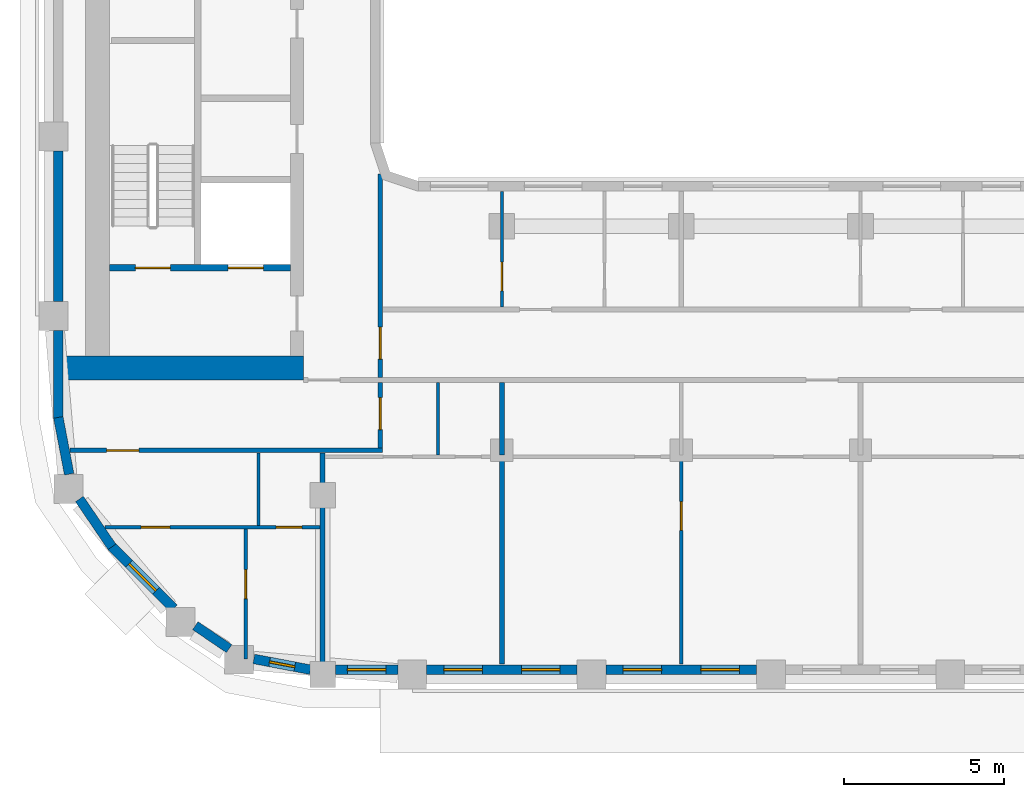
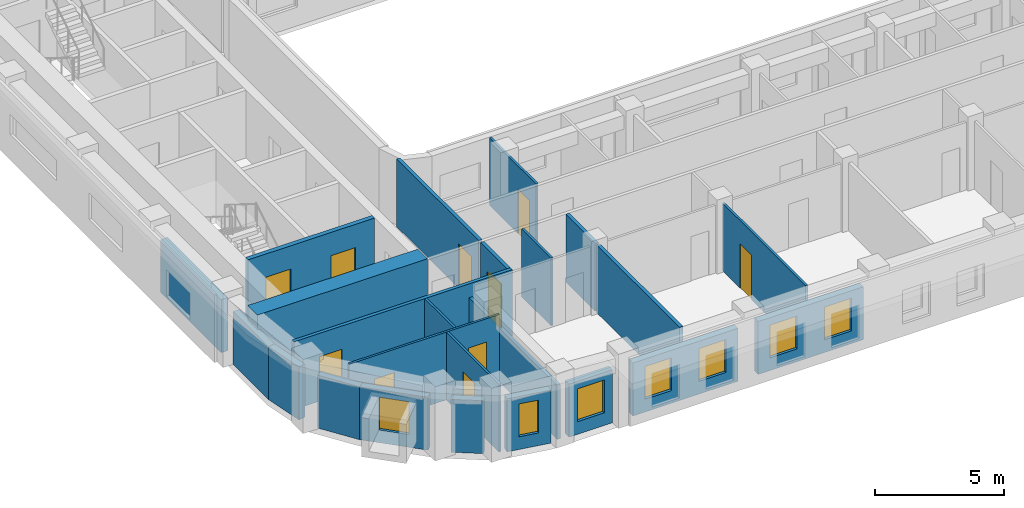
# One storey, part 2 of 21: 24 walls, 10 doors, 7 windows, 17 openings.
"""IFC4 building model written with IfcOpenShell, lengths in metres."""

from ifc_helpers import new_model, si_unit, direction, frame, frame_2d, origin, place, context, subcontext, project, spatial, rectangle, extrude, material, layer, layer_set, type_object, element, fill, save


model = new_model("IFC4")

# Units and contexts
model_context = context("Model", 3, precision=1e-05, world=origin(), true_north=direction((0.0, 1.0)))
body_context = subcontext(model_context, "Body", "Model", "MODEL_VIEW")
ifc_project = project(units=[si_unit("LENGTHUNIT", "METRE"), si_unit("AREAUNIT", "SQUARE_METRE"), si_unit("VOLUMEUNIT", "CUBIC_METRE"), si_unit("PLANEANGLEUNIT", "RADIAN"), si_unit("MASSUNIT", "GRAM", prefix="KILO")], contexts=[model_context])

# Site, building, storey
site_placement = place(None, origin())
site = spatial("IfcSite", under=ifc_project, at=site_placement, CompositionType="ELEMENT")
building_placement = place(site_placement, origin())
building = spatial("IfcBuilding", under=site, at=building_placement, Name="Kiln Ring Residences", CompositionType="ELEMENT")
storey_placement = place(building_placement, frame((0.0, 0.0, 195.89990234375)))
storey = spatial("IfcBuildingStorey", under=building, at=storey_placement, Name="L50", CompositionType="ELEMENT", Elevation=195.89990234375)

# Wall, openings, doors
ifc_material_1 = material(Name="Concrete C40/50", Category="concrete")
ifc_layer_1 = layer(ifc_material_1, 0.199951171875)
ifc_layer_set_1 = layer_set([ifc_layer_1], Name="CORE-WALL-RC200")
wall_type_1 = type_object("IfcWallType", Name="CORE-WALL-RC200", PredefinedType="SHEAR", material=ifc_layer_set_1)
wall_1_placement = place(storey_placement, frame((-17.800048828125, -9.699951171875, 0.0), z_axis=(0.0, 0.0, 1.0), x_axis=(-1.0, 0.0, 0.0)))
wall_1 = element("IfcWall", 1, at=wall_1_placement, inside=storey, type_object=wall_type_1, Name="Core wall west L50 8", PredefinedType="SHEAR", context=body_context, shape_type="SweptSolid", body=[
    extrude(rectangle(XDim=5.64990234375, YDim=0.199951171875, at=frame_2d((2.824951171875, 0.0))), origin(), (0.0, 0.0, 1.0), 3.2001953125),
])
opening_1_placement = place(wall_1_placement, frame((0.85009765625, 0.0, 0.0)))
opening_1 = element("IfcOpeningElement", 2, at=opening_1_placement, cuts=wall_1, Name="Opening L50-CW01", PredefinedType="OPENING", context=body_context, shape_type="SweptSolid", body=[
    extrude(rectangle(XDim=1.10009765625, YDim=2.10009765625, at=frame_2d((0.550048828125, 1.050048828125))), frame((0.0, 0.10986328125, 0.0), z_axis=(0.0, -1.0, 0.0), x_axis=(1.0, 0.0, 0.0)), (0.0, 0.0, 1.0), 0.219970703125),
])
opening_2_placement = place(wall_1_placement, frame((3.75, 0.0, 0.0)))
opening_2 = element("IfcOpeningElement", 3, at=opening_2_placement, cuts=wall_1, Name="Opening L50-CW10", PredefinedType="OPENING", context=body_context, shape_type="SweptSolid", body=[
    extrude(rectangle(XDim=1.10009765625, YDim=2.10009765625, at=frame_2d((0.550048828125, 1.050048828125))), frame((0.0, 0.10986328125, 0.0), z_axis=(0.0, -1.0, 0.0), x_axis=(1.0, 0.0, 0.0)), (0.0, 0.0, 1.0), 0.219970703125),
])
ifc_material_2 = material(Name="Steel door leaf", Category="steel")
door_type_1 = type_object("IfcDoorType", Name="CORE-DOOR-LD", OperationType="DOUBLE_DOOR_SLIDING", PredefinedType="DOOR", material=ifc_material_2)
door_1_placement = place(opening_1_placement, origin())
door_1 = element("IfcDoor", 4, at=door_1_placement, inside=storey, type_object=door_type_1, Name="LD W-SV L50-CW01", OperationType="DOUBLE_DOOR_SLIDING", OverallHeight=2.10009765625, OverallWidth=1.10009765625, PredefinedType="DOOR", context=body_context, shape_type="SweptSolid", body=[
    extrude(rectangle(XDim=1.10009765625, YDim=2.10009765625, at=frame_2d((0.550048828125, 1.050048828125))), frame((0.0, 0.02490234375, 0.0), z_axis=(0.0, -1.0, 0.0), x_axis=(1.0, 0.0, 0.0)), (0.0, 0.0, 1.0), 0.050048828125),
])
fill(opening_1, door_1)
ifc_material_3 = material(Name="Steel door leaf", Category="steel")
door_type_2 = type_object("IfcDoorType", Name="CORE-DOOR-STAIR", OperationType="SINGLE_SWING_LEFT", PredefinedType="DOOR", material=ifc_material_3)
door_2_placement = place(opening_2_placement, origin())
door_2 = element("IfcDoor", 5, at=door_2_placement, inside=storey, type_object=door_type_2, Name="Stair W-STS L50-CW10", OperationType="SINGLE_SWING_LEFT", OverallHeight=2.10009765625, OverallWidth=1.10009765625, PredefinedType="DOOR", context=body_context, shape_type="SweptSolid", body=[
    extrude(rectangle(XDim=1.10009765625, YDim=2.10009765625, at=frame_2d((0.550048828125, 1.050048828125))), frame((0.0, 0.02490234375, 0.0), z_axis=(0.0, -1.0, 0.0), x_axis=(1.0, 0.0, 0.0)), (0.0, 0.0, 1.0), 0.050048828125),
])
fill(opening_2, door_2)

# Wall
ifc_material_4 = material(Name="Concrete C60/75", Category="concrete")
ifc_layer_2 = layer(ifc_material_4, 0.75)
ifc_layer_set_2 = layer_set([ifc_layer_2], Name="CORE-WALL-RC750")
wall_type_2 = type_object("IfcWallType", Name="CORE-WALL-RC750", PredefinedType="SHEAR", material=ifc_layer_set_2)
wall_2_placement = place(storey_placement, frame((-17.39990234375, -12.824951171875, 0.0), z_axis=(0.0, 0.0, 1.0), x_axis=(-1.0, 0.0, 0.0)))
element("IfcWall", 6, at=wall_2_placement, inside=storey, type_object=wall_type_2, Name="Core wall west L50 5", PredefinedType="SHEAR", context=body_context, shape_type="SweptSolid", body=[
    extrude(rectangle(XDim=7.60009765625, YDim=0.75, at=frame_2d((3.800048828125, 0.0))), origin(), (0.0, 0.0, 1.0), 3.2001953125),
])

# Wall, opening, window
ifc_material_5 = material(Name="Brick masonry, dark clay brick", Category="masonry")
ifc_layer_3 = layer(ifc_material_5, 0.300048828125)
ifc_layer_set_3 = layer_set([ifc_layer_3], Name="EW-300 BRICK WALL")
wall_type_3 = type_object("IfcWallType", Name="EW-300 BRICK WALL", PredefinedType="SOLIDWALL", material=ifc_layer_set_3)
wall_3_placement = place(storey_placement, frame((-23.39697265625, -18.390869140625, 0.0), z_axis=(0.0, 0.0, 1.0), x_axis=(0.707106781187, -0.707106781187, 0.0)))
wall_3 = element("IfcWall", 7, at=wall_3_placement, inside=storey, type_object=wall_type_3, Name="Facade wall L50 1", PredefinedType="SOLIDWALL", context=body_context, shape_type="SweptSolid", body=[
    extrude(rectangle(XDim=2.75, YDim=0.300048828125, at=frame_2d((1.375, 0.0))), origin(), (0.0, 0.0, 1.0), 2.5),
])
opening_3_placement = place(wall_3_placement, frame((0.77490234375, 0.0, 0.60009765625)))
opening_3 = element("IfcOpeningElement", 8, at=opening_3_placement, cuts=wall_3, Name="Opening W1", PredefinedType="OPENING", context=body_context, shape_type="SweptSolid", body=[
    extrude(rectangle(XDim=1.199951171875, YDim=1.550048828125, at=frame_2d((0.60009765625, 0.77490234375))), frame((0.0, 0.159912109375, 0.0), z_axis=(0.0, -1.0, 0.0), x_axis=(1.0, 0.0, 0.0)), (0.0, 0.0, 1.0), 0.320068359375),
])
ifc_material_6 = material(Name="Aluminium frame with double glazing", Category="aluminium")
window_type_1 = type_object("IfcWindowType", Name="WINDOW 1200 x 1550", PartitioningType="SINGLE_PANEL", PredefinedType="WINDOW", material=ifc_material_6)
window_1_placement = place(opening_3_placement, origin())
window_1 = element("IfcWindow", 9, at=window_1_placement, inside=storey, type_object=window_type_1, Name="Window L50 1", OverallHeight=1.550048828125, OverallWidth=1.199951171875, PartitioningType="SINGLE_PANEL", PredefinedType="WINDOW", context=body_context, shape_type="SweptSolid", body=[
    extrude(rectangle(XDim=1.199951171875, YDim=1.550048828125, at=frame_2d((0.60009765625, 0.77490234375))), frame((0.0, 0.030029296875, 0.0), z_axis=(0.0, -1.0, 0.0), x_axis=(1.0, 0.0, 0.0)), (0.0, 0.0, 1.0), 0.06005859375),
])
fill(opening_3, window_1)

# Wall
wall_4_placement = place(storey_placement, frame((-20.775146484375, -20.876220703125, 0.0), z_axis=(0.0, 0.0, 1.0), x_axis=(0.827075824828, -0.562090366388, 0.0)))
element("IfcWall", 10, at=wall_4_placement, inside=storey, type_object=wall_type_3, Name="Facade wall L50 2", PredefinedType="SOLIDWALL", context=body_context, shape_type="SweptSolid", body=[
    extrude(rectangle(XDim=1.27685546875, YDim=0.300048828125, at=frame_2d((0.638427734375, 0.0))), origin(), (0.0, 0.0, 1.0), 2.5),
])

# Wall, opening, window
wall_5_placement = place(storey_placement, frame((-18.946044921875, -21.914306640625, 0.0), z_axis=(0.0, 0.0, 1.0), x_axis=(0.98230529033, -0.187286722942, 0.0)))
wall_5 = element("IfcWall", 11, at=wall_5_placement, inside=storey, type_object=wall_type_3, Name="Facade wall L50 3", PredefinedType="SOLIDWALL", context=body_context, shape_type="SweptSolid", body=[
    extrude(rectangle(XDim=1.798828125, YDim=0.300048828125, at=frame_2d((0.8994140625, 0.0))), origin(), (0.0, 0.0, 1.0), 2.5),
])
opening_4_placement = place(wall_5_placement, frame((0.49951171875, 0.0, 0.60009765625)))
opening_4 = element("IfcOpeningElement", 12, at=opening_4_placement, cuts=wall_5, Name="Opening W5", PredefinedType="OPENING", context=body_context, shape_type="SweptSolid", body=[
    extrude(rectangle(XDim=0.800048828125, YDim=1.550048828125, at=frame_2d((0.39990234375, 0.77490234375))), frame((0.0, 0.159912109375, 0.0), z_axis=(0.0, -1.0, 0.0), x_axis=(1.0, 0.0, 0.0)), (0.0, 0.0, 1.0), 0.320068359375),
])
ifc_material_7 = material(Name="Aluminium frame with double glazing", Category="aluminium")
window_type_2 = type_object("IfcWindowType", Name="WINDOW 800 x 1550", PartitioningType="SINGLE_PANEL", PredefinedType="WINDOW", material=ifc_material_7)
window_2_placement = place(opening_4_placement, origin())
window_2 = element("IfcWindow", 13, at=window_2_placement, inside=storey, type_object=window_type_2, Name="Window L50 2", OverallHeight=1.550048828125, OverallWidth=0.800048828125, PartitioningType="SINGLE_PANEL", PredefinedType="WINDOW", context=body_context, shape_type="SweptSolid", body=[
    extrude(rectangle(XDim=0.800048828125, YDim=1.550048828125, at=frame_2d((0.39990234375, 0.77490234375))), frame((0.0, 0.030029296875, 0.0), z_axis=(0.0, -1.0, 0.0), x_axis=(1.0, 0.0, 0.0)), (0.0, 0.0, 1.0), 0.06005859375),
])
fill(opening_4, window_2)

wall_6_placement = place(storey_placement, frame((-16.39990234375, -22.25, 0.0), z_axis=(0.0, 0.0, 1.0), x_axis=(1.0, 0.0, 0.0)))
wall_6 = element("IfcWall", 14, at=wall_6_placement, inside=storey, type_object=wall_type_3, Name="Facade wall L50 4", PredefinedType="SOLIDWALL", context=body_context, shape_type="SweptSolid", body=[
    extrude(rectangle(XDim=1.949951171875, YDim=0.300048828125, at=frame_2d((0.97509765625, 0.0))), origin(), (0.0, 0.0, 1.0), 2.5),
])
opening_5_placement = place(wall_6_placement, frame((0.375, 0.0, 0.60009765625)))
opening_5 = element("IfcOpeningElement", 15, at=opening_5_placement, cuts=wall_6, Name="Opening W1", PredefinedType="OPENING", context=body_context, shape_type="SweptSolid", body=[
    extrude(rectangle(XDim=1.199951171875, YDim=1.550048828125, at=frame_2d((0.60009765625, 0.77490234375))), frame((0.0, 0.159912109375, 0.0), z_axis=(0.0, -1.0, 0.0), x_axis=(1.0, 0.0, 0.0)), (0.0, 0.0, 1.0), 0.320068359375),
])
window_3_placement = place(opening_5_placement, origin())
window_3 = element("IfcWindow", 16, at=window_3_placement, inside=storey, type_object=window_type_1, Name="Window L50 3", OverallHeight=1.550048828125, OverallWidth=1.199951171875, PartitioningType="SINGLE_PANEL", PredefinedType="WINDOW", context=body_context, shape_type="SweptSolid", body=[
    extrude(rectangle(XDim=1.199951171875, YDim=1.550048828125, at=frame_2d((0.60009765625, 0.77490234375))), frame((0.0, 0.030029296875, 0.0), z_axis=(0.0, -1.0, 0.0), x_axis=(1.0, 0.0, 0.0)), (0.0, 0.0, 1.0), 0.06005859375),
])
fill(opening_5, window_3)

# Wall, openings, windows
wall_7_placement = place(storey_placement, frame((-13.550048828125, -22.25, 0.0), z_axis=(0.0, 0.0, 1.0), x_axis=(1.0, 0.0, 0.0)))
wall_7 = element("IfcWall", 17, at=wall_7_placement, inside=storey, type_object=wall_type_3, Name="Facade wall L50 5", PredefinedType="SOLIDWALL", context=body_context, shape_type="SweptSolid", body=[
    extrude(rectangle(XDim=4.699951171875, YDim=0.300048828125, at=frame_2d((2.35009765625, 0.0))), origin(), (0.0, 0.0, 1.0), 2.5),
])
opening_6_placement = place(wall_7_placement, frame((0.53759765625, 0.0, 0.60009765625)))
opening_6 = element("IfcOpeningElement", 18, at=opening_6_placement, cuts=wall_7, Name="Opening W1", PredefinedType="OPENING", context=body_context, shape_type="SweptSolid", body=[
    extrude(rectangle(XDim=1.199951171875, YDim=1.550048828125, at=frame_2d((0.60009765625, 0.77490234375))), frame((0.0, 0.159912109375, 0.0), z_axis=(0.0, -1.0, 0.0), x_axis=(1.0, 0.0, 0.0)), (0.0, 0.0, 1.0), 0.320068359375),
])
opening_7_placement = place(wall_7_placement, frame((2.96240234375, 0.0, 0.60009765625)))
opening_7 = element("IfcOpeningElement", 19, at=opening_7_placement, cuts=wall_7, Name="Opening W1", PredefinedType="OPENING", context=body_context, shape_type="SweptSolid", body=[
    extrude(rectangle(XDim=1.199951171875, YDim=1.550048828125, at=frame_2d((0.60009765625, 0.77490234375))), frame((0.0, 0.159912109375, 0.0), z_axis=(0.0, -1.0, 0.0), x_axis=(1.0, 0.0, 0.0)), (0.0, 0.0, 1.0), 0.320068359375),
])
window_4_placement = place(opening_6_placement, origin())
window_4 = element("IfcWindow", 20, at=window_4_placement, inside=storey, type_object=window_type_1, Name="Window L50 4", OverallHeight=1.550048828125, OverallWidth=1.199951171875, PartitioningType="SINGLE_PANEL", PredefinedType="WINDOW", context=body_context, shape_type="SweptSolid", body=[
    extrude(rectangle(XDim=1.199951171875, YDim=1.550048828125, at=frame_2d((0.60009765625, 0.77490234375))), frame((0.0, 0.030029296875, 0.0), z_axis=(0.0, -1.0, 0.0), x_axis=(1.0, 0.0, 0.0)), (0.0, 0.0, 1.0), 0.06005859375),
])
fill(opening_6, window_4)
window_5_placement = place(opening_7_placement, origin())
window_5 = element("IfcWindow", 21, at=window_5_placement, inside=storey, type_object=window_type_1, Name="Window L50 5", OverallHeight=1.550048828125, OverallWidth=1.199951171875, PartitioningType="SINGLE_PANEL", PredefinedType="WINDOW", context=body_context, shape_type="SweptSolid", body=[
    extrude(rectangle(XDim=1.199951171875, YDim=1.550048828125, at=frame_2d((0.60009765625, 0.77490234375))), frame((0.0, 0.030029296875, 0.0), z_axis=(0.0, -1.0, 0.0), x_axis=(1.0, 0.0, 0.0)), (0.0, 0.0, 1.0), 0.06005859375),
])
fill(opening_7, window_5)

wall_8_placement = place(storey_placement, frame((-7.949951171875, -22.25, 0.0), z_axis=(0.0, 0.0, 1.0), x_axis=(1.0, 0.0, 0.0)))
wall_8 = element("IfcWall", 22, at=wall_8_placement, inside=storey, type_object=wall_type_3, Name="Facade wall L50 6", PredefinedType="SOLIDWALL", context=body_context, shape_type="SweptSolid", body=[
    extrude(rectangle(XDim=4.699951171875, YDim=0.300048828125, at=frame_2d((2.35009765625, 0.0))), origin(), (0.0, 0.0, 1.0), 2.5),
])
opening_8_placement = place(wall_8_placement, frame((0.53759765625, 0.0, 0.60009765625)))
opening_8 = element("IfcOpeningElement", 23, at=opening_8_placement, cuts=wall_8, Name="Opening W1", PredefinedType="OPENING", context=body_context, shape_type="SweptSolid", body=[
    extrude(rectangle(XDim=1.199951171875, YDim=1.550048828125, at=frame_2d((0.60009765625, 0.77490234375))), frame((0.0, 0.159912109375, 0.0), z_axis=(0.0, -1.0, 0.0), x_axis=(1.0, 0.0, 0.0)), (0.0, 0.0, 1.0), 0.320068359375),
])
opening_9_placement = place(wall_8_placement, frame((2.96240234375, 0.0, 0.60009765625)))
opening_9 = element("IfcOpeningElement", 24, at=opening_9_placement, cuts=wall_8, Name="Opening W1", PredefinedType="OPENING", context=body_context, shape_type="SweptSolid", body=[
    extrude(rectangle(XDim=1.199951171875, YDim=1.550048828125, at=frame_2d((0.60009765625, 0.77490234375))), frame((0.0, 0.159912109375, 0.0), z_axis=(0.0, -1.0, 0.0), x_axis=(1.0, 0.0, 0.0)), (0.0, 0.0, 1.0), 0.320068359375),
])
window_6_placement = place(opening_8_placement, origin())
window_6 = element("IfcWindow", 25, at=window_6_placement, inside=storey, type_object=window_type_1, Name="Window L50 6", OverallHeight=1.550048828125, OverallWidth=1.199951171875, PartitioningType="SINGLE_PANEL", PredefinedType="WINDOW", context=body_context, shape_type="SweptSolid", body=[
    extrude(rectangle(XDim=1.199951171875, YDim=1.550048828125, at=frame_2d((0.60009765625, 0.77490234375))), frame((0.0, 0.030029296875, 0.0), z_axis=(0.0, -1.0, 0.0), x_axis=(1.0, 0.0, 0.0)), (0.0, 0.0, 1.0), 0.06005859375),
])
fill(opening_8, window_6)
window_7_placement = place(opening_9_placement, origin())
window_7 = element("IfcWindow", 26, at=window_7_placement, inside=storey, type_object=window_type_1, Name="Window L50 7", OverallHeight=1.550048828125, OverallWidth=1.199951171875, PartitioningType="SINGLE_PANEL", PredefinedType="WINDOW", context=body_context, shape_type="SweptSolid", body=[
    extrude(rectangle(XDim=1.199951171875, YDim=1.550048828125, at=frame_2d((0.60009765625, 0.77490234375))), frame((0.0, 0.030029296875, 0.0), z_axis=(0.0, -1.0, 0.0), x_axis=(1.0, 0.0, 0.0)), (0.0, 0.0, 1.0), 0.06005859375),
])
fill(opening_9, window_7)

# Walls
wall_9_placement = place(storey_placement, frame((-25.050048828125, -6.050048828125, 0.0), z_axis=(0.0, 0.0, 1.0), x_axis=(0.0, -1.0, 0.0)))
element("IfcWall", 27, at=wall_9_placement, inside=storey, type_object=wall_type_3, Name="Facade wall L50 43", PredefinedType="SOLIDWALL", context=body_context, shape_type="SweptSolid", body=[
    extrude(rectangle(XDim=4.699951171875, YDim=0.300048828125, at=frame_2d((2.35009765625, 0.0))), origin(), (0.0, 0.0, 1.0), 2.5),
])
wall_10_placement = place(storey_placement, frame((-25.050048828125, -11.64990234375, 0.0), z_axis=(0.0, 0.0, 1.0), x_axis=(0.0, -1.0, 0.0)))
element("IfcWall", 28, at=wall_10_placement, inside=storey, type_object=wall_type_3, Name="Facade wall L50 44", PredefinedType="SOLIDWALL", context=body_context, shape_type="SweptSolid", body=[
    extrude(rectangle(XDim=2.75, YDim=0.300048828125, at=frame_2d((1.375, 0.0))), origin(), (0.0, 0.0, 1.0), 2.5),
])
for number, where, z_axis, x_axis, name in (
    (29, (-25.052734375, -14.371826171875, 0.0), (0.0, 0.0, 1.0), (0.187348135549, -0.982293579388, 0.0), "Facade wall L50 45"),
    (30, (-24.39404296875, -16.9189453125, 0.0), (0.0, 0.0, 1.0), (0.562040093569, -0.827109988588, 0.0), "Facade wall L50 46"),
):
    element("IfcWall", number, at=place(storey_placement, frame(where, z_axis=z_axis, x_axis=x_axis)), inside=storey, type_object=wall_type_3, Name=name, PredefinedType="SOLIDWALL", context=body_context, shape_type="SweptSolid", body=[
        extrude(rectangle(XDim=1.80615234375, YDim=0.300048828125, at=frame_2d((0.903076171875, 0.0))), origin(), (0.0, 0.0, 1.0), 2.5),
    ])

# Wall, openings, doors
ifc_material_8 = material(Name="Gypsum board on steel studs", Category="steel")
ifc_layer_4 = layer(ifc_material_8, 0.10009765625)
ifc_layer_set_4 = layer_set([ifc_layer_4], Name="PARTITION-100")
wall_type_4 = type_object("IfcWallType", Name="PARTITION-100", PredefinedType="PARTITIONING", material=ifc_layer_set_4)
wall_11_placement = place(storey_placement, frame((-23.593994140625, -17.800048828125, 0.0), z_axis=(0.0, 0.0, 1.0), x_axis=(1.0, 0.0, 0.0)))
wall_11 = element("IfcWall", 31, at=wall_11_placement, inside=storey, type_object=wall_type_4, Name="Partition 001", PredefinedType="PARTITIONING", context=body_context, shape_type="SweptSolid", body=[
    extrude(rectangle(XDim=6.718994140625, YDim=0.10009765625, at=frame_2d((3.359375, 0.0))), origin(), (0.0, 0.0, 1.0), 3.2001953125),
])
opening_10_placement = place(wall_11_placement, frame((5.343994140625, 0.0, 0.0)))
opening_10 = element("IfcOpeningElement", 32, at=opening_10_placement, cuts=wall_11, Name="Opening L50-D066", PredefinedType="OPENING", context=body_context, shape_type="SweptSolid", body=[
    extrude(rectangle(XDim=0.800048828125, YDim=2.10009765625, at=frame_2d((0.39990234375, 1.050048828125))), frame((0.0, 0.06005859375, 0.0), z_axis=(0.0, -1.0, 0.0), x_axis=(1.0, 0.0, 0.0)), (0.0, 0.0, 1.0), 0.1201171875),
])
opening_11_placement = place(wall_11_placement, frame((1.1259765625, 0.0, 0.0)))
opening_11 = element("IfcOpeningElement", 33, at=opening_11_placement, cuts=wall_11, Name="Opening L50-D067", PredefinedType="OPENING", context=body_context, shape_type="SweptSolid", body=[
    extrude(rectangle(XDim=0.89990234375, YDim=2.10009765625, at=frame_2d((0.449951171875, 1.050048828125))), frame((0.0, 0.06005859375, 0.0), z_axis=(0.0, -1.0, 0.0), x_axis=(1.0, 0.0, 0.0)), (0.0, 0.0, 1.0), 0.1201171875),
])
ifc_material_9 = material(Name="Timber door leaf", Category="wood")
door_type_3 = type_object("IfcDoorType", Name="FLAT-DOOR-800-PL", OperationType="SINGLE_SWING_LEFT", PredefinedType="DOOR", material=ifc_material_9)
door_3_placement = place(opening_10_placement, origin())
door_3 = element("IfcDoor", 34, at=door_3_placement, inside=storey, type_object=door_type_3, Name="Door L50-D066", OperationType="SINGLE_SWING_RIGHT", OverallHeight=2.10009765625, OverallWidth=0.800048828125, PredefinedType="DOOR", context=body_context, shape_type="SweptSolid", body=[
    extrude(rectangle(XDim=0.800048828125, YDim=2.10009765625, at=frame_2d((0.39990234375, 1.050048828125))), frame((0.0, 0.02490234375, 0.0), z_axis=(0.0, -1.0, 0.0), x_axis=(1.0, 0.0, 0.0)), (0.0, 0.0, 1.0), 0.050048828125),
])
fill(opening_10, door_3)
ifc_material_10 = material(Name="Timber door leaf", Category="wood")
door_type_4 = type_object("IfcDoorType", Name="FLAT-DOOR-900-PL", OperationType="SINGLE_SWING_LEFT", PredefinedType="DOOR", material=ifc_material_10)
door_4_placement = place(opening_11_placement, origin())
door_4 = element("IfcDoor", 35, at=door_4_placement, inside=storey, type_object=door_type_4, Name="Door L50-D067", OperationType="SINGLE_SWING_LEFT", OverallHeight=2.10009765625, OverallWidth=0.89990234375, PredefinedType="DOOR", context=body_context, shape_type="SweptSolid", body=[
    extrude(rectangle(XDim=0.89990234375, YDim=2.10009765625, at=frame_2d((0.449951171875, 1.050048828125))), frame((0.0, 0.02490234375, 0.0), z_axis=(0.0, -1.0, 0.0), x_axis=(1.0, 0.0, 0.0)), (0.0, 0.0, 1.0), 0.050048828125),
])
fill(opening_11, door_4)

# Wall, opening, door
wall_12_placement = place(storey_placement, frame((-19.199951171875, -21.919921875, 0.0), z_axis=(0.0, 0.0, 1.0), x_axis=(0.0, 1.0, 0.0)))
wall_12 = element("IfcWall", 36, at=wall_12_placement, inside=storey, type_object=wall_type_4, Name="Partition 014", PredefinedType="PARTITIONING", context=body_context, shape_type="SweptSolid", body=[
    extrude(rectangle(XDim=4.06982421875, YDim=0.10009765625, at=frame_2d((2.034912109375, 0.0))), origin(), (0.0, 0.0, 1.0), 3.2001953125),
])
opening_12_placement = place(wall_12_placement, frame((1.89306640625, 0.0, 0.0)))
opening_12 = element("IfcOpeningElement", 37, at=opening_12_placement, cuts=wall_12, Name="Opening L50-D068", PredefinedType="OPENING", context=body_context, shape_type="SweptSolid", body=[
    extrude(rectangle(XDim=0.89990234375, YDim=2.10009765625, at=frame_2d((0.449951171875, 1.050048828125))), frame((0.0, 0.06005859375, 0.0), z_axis=(0.0, -1.0, 0.0), x_axis=(1.0, 0.0, 0.0)), (0.0, 0.0, 1.0), 0.1201171875),
])
door_5_placement = place(opening_12_placement, origin())
door_5 = element("IfcDoor", 38, at=door_5_placement, inside=storey, type_object=door_type_4, Name="Door L50-D068", OperationType="SINGLE_SWING_RIGHT", OverallHeight=2.10009765625, OverallWidth=0.89990234375, PredefinedType="DOOR", context=body_context, shape_type="SweptSolid", body=[
    extrude(rectangle(XDim=0.89990234375, YDim=2.10009765625, at=frame_2d((0.449951171875, 1.050048828125))), frame((0.0, 0.02490234375, 0.0), z_axis=(0.0, -1.0, 0.0), x_axis=(1.0, 0.0, 0.0)), (0.0, 0.0, 1.0), 0.050048828125),
])
fill(opening_12, door_5)

# Walls
wall_13_placement = place(storey_placement, frame((-18.800048828125, -17.75, 0.0), z_axis=(0.0, 0.0, 1.0), x_axis=(0.0, 1.0, 0.0)))
element("IfcWall", 39, at=wall_13_placement, inside=storey, type_object=wall_type_4, Name="Partition 016", PredefinedType="PARTITIONING", context=body_context, shape_type="SweptSolid", body=[
    extrude(rectangle(XDim=2.27490234375, YDim=0.10009765625, at=frame_2d((1.137451171875, 0.0))), origin(), (0.0, 0.0, 1.0), 3.2001953125),
])
wall_14_placement = place(storey_placement, frame((-13.199951171875, -15.550048828125, 0.0), z_axis=(0.0, 0.0, 1.0), x_axis=(0.0, 1.0, 0.0)))
element("IfcWall", 40, at=wall_14_placement, inside=storey, type_object=wall_type_4, Name="Partition 023", PredefinedType="PARTITIONING", context=body_context, shape_type="SweptSolid", body=[
    extrude(rectangle(XDim=2.275146484375, YDim=0.10009765625, at=frame_2d((1.1376953125, 0.0))), origin(), (0.0, 0.0, 1.0), 3.2001953125),
])

# Wall, opening, door
wall_15_placement = place(storey_placement, frame((-11.199951171875, -10.925048828125, 0.0), z_axis=(0.0, 0.0, 1.0), x_axis=(0.0, 1.0, 0.0)))
wall_15 = element("IfcWall", 41, at=wall_15_placement, inside=storey, type_object=wall_type_4, Name="Partition 024", PredefinedType="PARTITIONING", context=body_context, shape_type="SweptSolid", body=[
    extrude(rectangle(XDim=3.60498046875, YDim=0.10009765625, at=frame_2d((1.802490234375, 0.0))), origin(), (0.0, 0.0, 1.0), 3.2001953125),
])
opening_13_placement = place(wall_15_placement, frame((0.5048828125, 0.0, 0.0)))
opening_13 = element("IfcOpeningElement", 42, at=opening_13_placement, cuts=wall_15, Name="Opening L50-D040", PredefinedType="OPENING", context=body_context, shape_type="SweptSolid", body=[
    extrude(rectangle(XDim=0.89990234375, YDim=2.10009765625, at=frame_2d((0.449951171875, 1.050048828125))), frame((0.0, 0.06005859375, 0.0), z_axis=(0.0, -1.0, 0.0), x_axis=(1.0, 0.0, 0.0)), (0.0, 0.0, 1.0), 0.1201171875),
])
door_6_placement = place(opening_13_placement, origin())
door_6 = element("IfcDoor", 43, at=door_6_placement, inside=storey, type_object=door_type_4, Name="Door L50-D040", OperationType="SINGLE_SWING_RIGHT", OverallHeight=2.10009765625, OverallWidth=0.89990234375, PredefinedType="DOOR", context=body_context, shape_type="SweptSolid", body=[
    extrude(rectangle(XDim=0.89990234375, YDim=2.10009765625, at=frame_2d((0.449951171875, 1.050048828125))), frame((0.0, 0.02490234375, 0.0), z_axis=(0.0, -1.0, 0.0), x_axis=(1.0, 0.0, 0.0)), (0.0, 0.0, 1.0), 0.050048828125),
])
fill(opening_13, door_6)

wall_16_placement = place(storey_placement, frame((-5.60009765625, -22.080078125, 0.0), z_axis=(0.0, 0.0, 1.0), x_axis=(0.0, 1.0, 0.0)))
wall_16 = element("IfcWall", 44, at=wall_16_placement, inside=storey, type_object=wall_type_4, Name="Partition 031", PredefinedType="PARTITIONING", context=body_context, shape_type="SweptSolid", body=[
    extrude(rectangle(XDim=6.43017578125, YDim=0.10009765625, at=frame_2d((3.215087890625, 0.0))), origin(), (0.0, 0.0, 1.0), 3.2001953125),
])
opening_14_placement = place(wall_16_placement, frame((4.179931640625, 0.0, 0.0)))
opening_14 = element("IfcOpeningElement", 45, at=opening_14_placement, cuts=wall_16, Name="Opening L50-D053", PredefinedType="OPENING", context=body_context, shape_type="SweptSolid", body=[
    extrude(rectangle(XDim=0.89990234375, YDim=2.10009765625, at=frame_2d((0.449951171875, 1.050048828125))), frame((0.0, 0.06005859375, 0.0), z_axis=(0.0, -1.0, 0.0), x_axis=(1.0, 0.0, 0.0)), (0.0, 0.0, 1.0), 0.1201171875),
])
door_7_placement = place(opening_14_placement, origin())
door_7 = element("IfcDoor", 46, at=door_7_placement, inside=storey, type_object=door_type_4, Name="Door L50-D053", OperationType="SINGLE_SWING_LEFT", OverallHeight=2.10009765625, OverallWidth=0.89990234375, PredefinedType="DOOR", context=body_context, shape_type="SweptSolid", body=[
    extrude(rectangle(XDim=0.89990234375, YDim=2.10009765625, at=frame_2d((0.449951171875, 1.050048828125))), frame((0.0, 0.02490234375, 0.0), z_axis=(0.0, -1.0, 0.0), x_axis=(1.0, 0.0, 0.0)), (0.0, 0.0, 1.0), 0.050048828125),
])
fill(opening_14, door_7)

ifc_material_11 = material(Name="Brick masonry partition", Category="masonry")
ifc_layer_5 = layer(ifc_material_11, 0.14990234375)
ifc_layer_set_5 = layer_set([ifc_layer_5], Name="PARTITION-150-ei60")
wall_type_5 = type_object("IfcWallType", Name="PARTITION-150-ei60", PredefinedType="PARTITIONING", material=ifc_layer_set_5)
wall_17_placement = place(storey_placement, frame((-24.683837890625, -15.39990234375, 0.0), z_axis=(0.0, 0.0, 1.0), x_axis=(1.0, 0.0, 0.0)))
wall_17 = element("IfcWall", 47, at=wall_17_placement, inside=storey, type_object=wall_type_5, Name="Partition 003", PredefinedType="PARTITIONING", context=body_context, shape_type="SweptSolid", body=[
    extrude(rectangle(XDim=9.7587890625, YDim=0.14990234375, at=frame_2d((4.87939453125, 0.0))), origin(), (0.0, 0.0, 1.0), 3.2001953125),
])
opening_15_placement = place(wall_17_placement, frame((1.142822265625, 0.0, 0.0)))
opening_15 = element("IfcOpeningElement", 48, at=opening_15_placement, cuts=wall_17, Name="Opening L50-D065", PredefinedType="OPENING", context=body_context, shape_type="SweptSolid", body=[
    extrude(rectangle(XDim=1.0, YDim=2.10009765625, at=frame_2d((0.5, 1.050048828125))), frame((0.0, 0.0849609375, 0.0), z_axis=(0.0, -1.0, 0.0), x_axis=(1.0, 0.0, 0.0)), (0.0, 0.0, 1.0), 0.169921875),
])
ifc_material_12 = material(Name="Steel faced fire door leaf", Category="steel")
door_type_5 = type_object("IfcDoorType", Name="FLAT-DOOR-1000-FR", OperationType="SINGLE_SWING_LEFT", PredefinedType="DOOR", material=ifc_material_12)
door_8_placement = place(opening_15_placement, origin())
door_8 = element("IfcDoor", 49, at=door_8_placement, inside=storey, type_object=door_type_5, Name="Door L50-D065", OperationType="SINGLE_SWING_LEFT", OverallHeight=2.10009765625, OverallWidth=1.0, PredefinedType="DOOR", context=body_context, shape_type="SweptSolid", body=[
    extrude(rectangle(XDim=1.0, YDim=2.10009765625, at=frame_2d((0.5, 1.050048828125))), frame((0.0, 0.02490234375, 0.0), z_axis=(0.0, -1.0, 0.0), x_axis=(1.0, 0.0, 0.0)), (0.0, 0.0, 1.0), 0.050048828125),
])
fill(opening_15, door_8)

# Wall
wall_18_placement = place(storey_placement, frame((-16.800048828125, -22.31005859375, 0.0), z_axis=(0.0, 0.0, 1.0), x_axis=(0.0, 1.0, 0.0)))
element("IfcWall", 50, at=wall_18_placement, inside=storey, type_object=wall_type_5, Name="Partition 017", PredefinedType="PARTITIONING", context=body_context, shape_type="SweptSolid", body=[
    extrude(rectangle(XDim=6.8349609375, YDim=0.14990234375, at=frame_2d((3.41748046875, 0.0))), origin(), (0.0, 0.0, 1.0), 2.550048828125),
])

# Wall, opening, door
wall_19_placement = place(storey_placement, frame((-15.0, -15.324951171875, 0.0), z_axis=(0.0, 0.0, 1.0), x_axis=(0.0, 1.0, 0.0)))
wall_19 = element("IfcWall", 51, at=wall_19_placement, inside=storey, type_object=wall_type_5, Name="Partition 019", PredefinedType="PARTITIONING", context=body_context, shape_type="SweptSolid", body=[
    extrude(rectangle(XDim=2.050048828125, YDim=0.14990234375, at=frame_2d((1.02490234375, 0.0))), origin(), (0.0, 0.0, 1.0), 3.2001953125),
])
opening_16_placement = place(wall_19_placement, frame((0.573974609375, 0.0, 0.0)))
opening_16 = element("IfcOpeningElement", 52, at=opening_16_placement, cuts=wall_19, Name="Opening L50-D047", PredefinedType="OPENING", context=body_context, shape_type="SweptSolid", body=[
    extrude(rectangle(XDim=1.0, YDim=2.10009765625, at=frame_2d((0.5, 1.050048828125))), frame((0.0, 0.0849609375, 0.0), z_axis=(0.0, -1.0, 0.0), x_axis=(1.0, 0.0, 0.0)), (0.0, 0.0, 1.0), 0.169921875),
])
door_9_placement = place(opening_16_placement, origin())
door_9 = element("IfcDoor", 53, at=door_9_placement, inside=storey, type_object=door_type_5, Name="Door L50-D047", OperationType="SINGLE_SWING_LEFT", OverallHeight=2.10009765625, OverallWidth=1.0, PredefinedType="DOOR", context=body_context, shape_type="SweptSolid", body=[
    extrude(rectangle(XDim=1.0, YDim=2.10009765625, at=frame_2d((0.5, 1.050048828125))), frame((0.0, 0.02490234375, 0.0), z_axis=(0.0, -1.0, 0.0), x_axis=(1.0, 0.0, 0.0)), (0.0, 0.0, 1.0), 0.050048828125),
])
fill(opening_16, door_9)

wall_20_placement = place(storey_placement, frame((-15.0, -13.125, 0.0), z_axis=(0.0, 0.0, 1.0), x_axis=(0.0, 1.0, 0.0)))
wall_20 = element("IfcWall", 54, at=wall_20_placement, inside=storey, type_object=wall_type_5, Name="Partition 020", PredefinedType="PARTITIONING", context=body_context, shape_type="SweptSolid", body=[
    extrude(rectangle(XDim=6.356201171875, YDim=0.14990234375, at=frame_2d((3.17822265625, 0.0))), origin(), (0.0, 0.0, 1.0), 3.2001953125),
])
opening_17_placement = place(wall_20_placement, frame((0.574951171875, 0.0, 0.0)))
opening_17 = element("IfcOpeningElement", 55, at=opening_17_placement, cuts=wall_20, Name="Opening L50-D005", PredefinedType="OPENING", context=body_context, shape_type="SweptSolid", body=[
    extrude(rectangle(XDim=1.0, YDim=2.10009765625, at=frame_2d((0.5, 1.050048828125))), frame((0.0, 0.0849609375, 0.0), z_axis=(0.0, -1.0, 0.0), x_axis=(1.0, 0.0, 0.0)), (0.0, 0.0, 1.0), 0.169921875),
])
door_10_placement = place(opening_17_placement, origin())
door_10 = element("IfcDoor", 56, at=door_10_placement, inside=storey, type_object=door_type_5, Name="Door L50-D005", OperationType="SINGLE_SWING_RIGHT", OverallHeight=2.10009765625, OverallWidth=1.0, PredefinedType="DOOR", context=body_context, shape_type="SweptSolid", body=[
    extrude(rectangle(XDim=1.0, YDim=2.10009765625, at=frame_2d((0.5, 1.050048828125))), frame((0.0, 0.02490234375, 0.0), z_axis=(0.0, -1.0, 0.0), x_axis=(1.0, 0.0, 0.0)), (0.0, 0.0, 1.0), 0.050048828125),
])
fill(opening_17, door_10)

# Walls
wall_21_placement = place(storey_placement, frame((-11.199951171875, -22.080078125, 0.0), z_axis=(0.0, 0.0, 1.0), x_axis=(0.0, 1.0, 0.0)))
element("IfcWall", 57, at=wall_21_placement, inside=storey, type_object=wall_type_5, Name="Partition 028", PredefinedType="PARTITIONING", context=body_context, shape_type="SweptSolid", body=[
    extrude(rectangle(XDim=6.43017578125, YDim=0.14990234375, at=frame_2d((3.215087890625, 0.0))), origin(), (0.0, 0.0, 1.0), 3.2001953125),
])
wall_22_placement = place(storey_placement, frame((-11.199951171875, -15.550048828125, 0.0), z_axis=(0.0, 0.0, 1.0), x_axis=(0.0, 1.0, 0.0)))
element("IfcWall", 58, at=wall_22_placement, inside=storey, type_object=wall_type_5, Name="Partition 029", PredefinedType="PARTITIONING", context=body_context, shape_type="SweptSolid", body=[
    extrude(rectangle(XDim=2.275146484375, YDim=0.14990234375, at=frame_2d((1.1376953125, 0.0))), origin(), (0.0, 0.0, 1.0), 3.2001953125),
])

save(model, "model.ifc")
